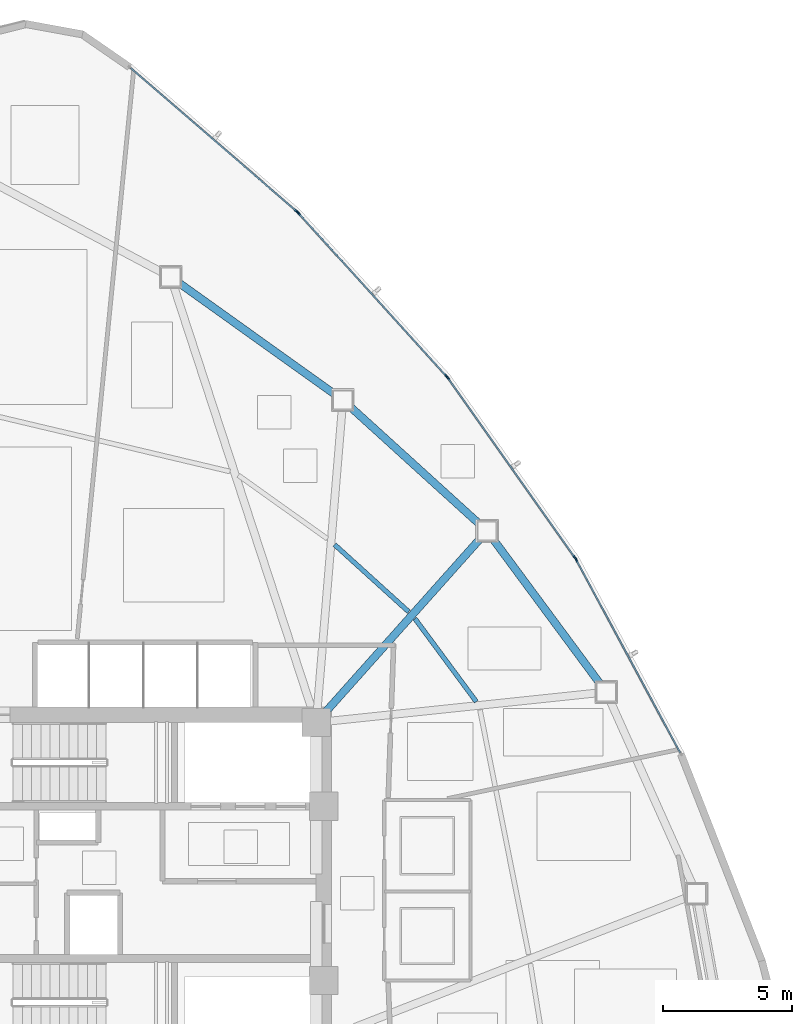
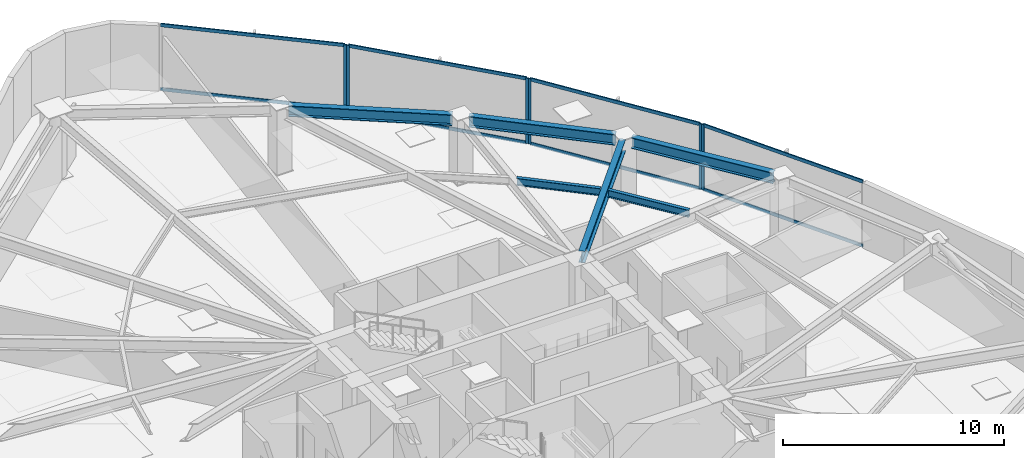
# One storey, part 9 of 16: 14 members, 6 beams, 4 elements without a shape of their own.
"""IFC4 building model written with IfcOpenShell, lengths in metres."""

from ifc_helpers import new_model, si_unit, direction, frame, origin, origin_2d, place, context, subcontext, project, spatial, hollow_rectangle, i_section, extrude, source, transform, mapped, material, layer, layer_set, material_profile, profile_set, type_object, type_shapes, element, aggregate, save


model = new_model("IFC4")

# Units and contexts
model_context = context("Model", 3, precision=1e-05, world=origin(), true_north=direction((0.0, 1.0)))
body_context = subcontext(model_context, "Body", "Model", "MODEL_VIEW")
ifc_project = project(units=[si_unit("LENGTHUNIT", "METRE"), si_unit("AREAUNIT", "SQUARE_METRE"), si_unit("VOLUMEUNIT", "CUBIC_METRE"), si_unit("PLANEANGLEUNIT", "RADIAN"), si_unit("MASSUNIT", "GRAM", prefix="KILO")], contexts=[model_context])

# Site, building, storey
site_placement = place(None, origin())
site = spatial("IfcSite", under=ifc_project, at=site_placement, CompositionType="ELEMENT")
building_placement = place(site_placement, origin())
building = spatial("IfcBuilding", under=site, at=building_placement, Name="Tavelor Broadcast Tower", CompositionType="ELEMENT")
storey_placement = place(building_placement, frame((0.0, 0.0, 31.5)))
storey = spatial("IfcBuildingStorey", under=building, at=storey_placement, Name="L06", CompositionType="ELEMENT", Elevation=31.5)

# Beams
ifc_material_1 = material(Name="Steel S355", Category="steel")
ifc_material_profile_1 = material_profile(ifc_material_1, i_section(OverallWidth=0.179931640625, OverallDepth=0.39990234375, WebThickness=0.008544921875, FlangeThickness=0.013427734375, at=origin_2d()), Name="IPE 400")
ifc_profile_set_1 = profile_set([ifc_material_profile_1], Name="Steel S355")
beam_type_1 = type_object("IfcBeamType", Name="Composite Floor Joist T1 IPE 400", PredefinedType="JOIST", material=ifc_profile_set_1)
beam_1_placement = place(storey_placement, frame((62.804443359375, 52.009521484375, 3.39990234375), z_axis=(-0.594288025828, 0.804252287754, 0.0), x_axis=(-0.804252287754, -0.594288025828, 0.0)))
element("IfcBeam", 1, at=beam_1_placement, inside=storey, type_object=beam_type_1, Name="L06 Secondary Composite Floor Joist 15", PredefinedType="JOIST", context=body_context, shape_type="SweptSolid", body=[
    extrude(i_section(OverallWidth=0.179931640625, OverallDepth=0.39990234375, WebThickness=0.008544921875, FlangeThickness=0.013427734375, at=origin_2d()), origin(), (0.0, 0.0, 1.0), 3.99755859375),
])
beam_2_placement = place(storey_placement, frame((60.18701171875, 55.49169921875, 3.39990234375), z_axis=(-0.740990869176, 0.67151510169, 0.0), x_axis=(-0.67151510169, -0.740990869176, 0.0)))
element("IfcBeam", 2, at=beam_2_placement, inside=storey, type_object=beam_type_1, Name="L06 Secondary Composite Floor Joist 16", PredefinedType="JOIST", context=body_context, shape_type="SweptSolid", body=[
    extrude(i_section(OverallWidth=0.179931640625, OverallDepth=0.39990234375, WebThickness=0.008544921875, FlangeThickness=0.013427734375, at=origin_2d()), origin(), (0.0, 0.0, 1.0), 3.8759765625),
])
ifc_material_profile_2 = material_profile(ifc_material_1, i_section(OverallWidth=0.300048828125, OverallDepth=0.60009765625, WebThickness=0.015380859375, FlangeThickness=0.030029296875, at=origin_2d()), Name="HEB 600")
ifc_profile_set_2 = profile_set([ifc_material_profile_2], Name="Steel S355")
beam_type_2 = type_object("IfcBeamType", Name="Perimeter Spandrel Beam T1 HEB 600", PredefinedType="SPANDREL", material=ifc_profile_set_2)
beam_3_placement = place(storey_placement, frame((67.6123046875, 52.69140625, 3.300048828125), z_axis=(-0.594687385164, 0.803957034876, 0.0), x_axis=(-0.803957034876, -0.594687385164, 0.0)))
element("IfcBeam", 3, at=beam_3_placement, inside=storey, type_object=beam_type_2, Name="L06 Framed-Tube Ring Spandrel 15", PredefinedType="SPANDREL", context=body_context, shape_type="SweptSolid", body=[
    extrude(i_section(OverallWidth=0.300048828125, OverallDepth=0.60009765625, WebThickness=0.015380859375, FlangeThickness=0.030029296875, at=origin_2d()), origin(), (0.0, 0.0, 1.0), 6.9951171875),
])
beam_4_placement = place(storey_placement, frame((62.939697265625, 58.882080078125, 3.300048828125), z_axis=(-0.740415616175, 0.672149325168, 0.0), x_axis=(-0.672149325168, -0.740415616175, 0.0)))
element("IfcBeam", 4, at=beam_4_placement, inside=storey, type_object=beam_type_2, Name="L06 Framed-Tube Ring Spandrel 16", PredefinedType="SPANDREL", context=body_context, shape_type="SweptSolid", body=[
    extrude(i_section(OverallWidth=0.300048828125, OverallDepth=0.60009765625, WebThickness=0.015380859375, FlangeThickness=0.030029296875, at=origin_2d()), origin(), (0.0, 0.0, 1.0), 6.78076171875),
])
beam_5_placement = place(storey_placement, frame((57.322509765625, 63.921142578125, 3.300048828125), z_axis=(-0.813480467782, 0.581592235624, 0.0), x_axis=(-0.581592235624, -0.813480467782, 0.0)))
element("IfcBeam", 5, at=beam_5_placement, inside=storey, type_object=beam_type_2, Name="L06 Framed-Tube Ring Spandrel 17", PredefinedType="SPANDREL", context=body_context, shape_type="SweptSolid", body=[
    extrude(i_section(OverallWidth=0.300048828125, OverallDepth=0.60009765625, WebThickness=0.015380859375, FlangeThickness=0.030029296875, at=origin_2d()), origin(), (0.0, 0.0, 1.0), 7.43505859375),
])
ifc_material_profile_3 = material_profile(ifc_material_1, i_section(OverallWidth=0.300048828125, OverallDepth=0.64990234375, WebThickness=0.01611328125, FlangeThickness=0.031005859375, at=origin_2d()), Name="HEB 650")
ifc_profile_set_3 = profile_set([ifc_material_profile_3], Name="Steel S355")
beam_type_3 = type_object("IfcBeamType", Name="Radial Floor Girder T1 HEB 650", PredefinedType="BEAM", material=ifc_profile_set_3)
beam_6_placement = place(storey_placement, frame((56.951416015625, 51.593994140625, 3.27490234375), z_axis=(0.665781144197, 0.746147082036, 0.0), x_axis=(-0.746147082036, 0.665781144197, 0.0)))
element("IfcBeam", 6, at=beam_6_placement, inside=storey, type_object=beam_type_3, Name="L06 Radial Primary Floor Girder 16", PredefinedType="BEAM", context=body_context, shape_type="SweptSolid", body=[
    extrude(i_section(OverallWidth=0.300048828125, OverallDepth=0.64990234375, WebThickness=0.01611328125, FlangeThickness=0.031005859375, at=origin_2d()), origin(), (0.0, 0.0, 1.0), 9.03759765625),
])

# Curtain wall, members
ifc_material_2 = material(Name="Architectural Anodized Aluminium", Category="aluminium")
ifc_layer = layer(ifc_material_2, 0.179931640625)
ifc_layer_set = layer_set([ifc_layer], Name="Architectural Anodized Aluminium")
curtain_wall_type = type_object("IfcCurtainWallType", Name="Tower Low-Zone Unitised Curtain Wall CW02", PredefinedType="NOTDEFINED", material=ifc_layer_set)
curtain_wall_1_placement = place(storey_placement, origin())
curtain_wall_1 = element("IfcCurtainWall", 7, at=curtain_wall_1_placement, inside=storey, type_object=curtain_wall_type, Name="L06 Curtain Wall CW02 Run 36", PredefinedType="NOTDEFINED")
ifc_material_profile_4 = material_profile(ifc_material_2, hollow_rectangle(XDim=0.06494140625, YDim=0.179931640625, WallThickness=0.02197265625, at=origin_2d()), Name="RHS 65x180x22")
ifc_profile_set_4 = profile_set([ifc_material_profile_4], Name="Architectural Anodized Aluminium")
member_type_1 = type_object("IfcMemberType", Name="CW02 Extruded Aluminium Transom 65x180", PredefinedType="USERDEFINED", material=ifc_profile_set_4)
shared_shape_1 = source(origin(), body_context, "Body", "SweptSolid", [
    extrude(hollow_rectangle(XDim=0.06494140625, YDim=0.179931640625, WallThickness=0.02197265625, at=origin_2d()), origin(), (0.0, 0.0, 1.0), 8.47412109375),
])
member_1_placement = place(storey_placement, frame((55.82373046875, 71.02734375, 0.032470703125), z_axis=(-0.756727124938, 0.653730876113, 0.0), x_axis=(-0.653730876113, -0.756727124938, 0.0)))
member_1 = element("IfcMember", 8, at=member_1_placement, type_object=member_type_1, Name="CW02 transom 1.1", ObjectType="TRANSOM", PredefinedType="USERDEFINED", context=body_context, shape_type="MappedRepresentation", body=[
    mapped(shared_shape_1, transform((0.0, 0.0, 0.0), scale=1.0)),
])
member_2_placement = place(storey_placement, frame((55.82373046875, 71.02734375, 3.5673828125), z_axis=(-0.756727124938, 0.653730876113, 0.0), x_axis=(-0.653730876113, -0.756727124938, 0.0)))
member_2 = element("IfcMember", 9, at=member_2_placement, type_object=member_type_1, Name="CW02 transom 1.2", ObjectType="TRANSOM", PredefinedType="USERDEFINED", context=body_context, shape_type="MappedRepresentation", body=[
    mapped(shared_shape_1, transform((0.0, 0.0, 0.0), scale=1.0)),
])

# Curtain wall, member
curtain_wall_2_placement = place(storey_placement, origin())
curtain_wall_2 = element("IfcCurtainWall", 10, at=curtain_wall_2_placement, inside=storey, type_object=curtain_wall_type, Name="L06 Curtain Wall CW02 Run 33", PredefinedType="NOTDEFINED")
ifc_material_profile_5 = material_profile(ifc_material_2, hollow_rectangle(XDim=0.06494140625, YDim=0.179931640625, WallThickness=0.02197265625, at=origin_2d()), Name="RHS 65x180x22")
ifc_profile_set_5 = profile_set([ifc_material_profile_5], Name="Architectural Anodized Aluminium")
member_type_2 = type_object("IfcMemberType", Name="CW02 Extruded Aluminium Mullion 65x180", PredefinedType="MULLION", material=ifc_profile_set_5)
shared_shape_2 = source(origin(), body_context, "Body", "SweptSolid", [
    extrude(hollow_rectangle(XDim=0.06494140625, YDim=0.179931640625, WallThickness=0.02197265625, at=origin_2d()), origin(), (0.0, 0.0, 1.0), 3.60009765625),
])
type_shapes(member_type_2, [shared_shape_2])
member_3_placement = place(storey_placement, frame((66.67578125, 57.515625, 0.0), z_axis=(0.0, 0.0, 1.0), x_axis=(-0.880273207377, -0.474467154157, 0.0)))
member_3 = element("IfcMember", 11, at=member_3_placement, type_object=member_type_2, Name="CW02 mullion 2", PredefinedType="MULLION", context=body_context, shape_type="MappedRepresentation", body=[
    mapped(shared_shape_2, transform((0.0, 0.0, 0.0), scale=1.0)),
])

# Curtain wall, members
curtain_wall_3_placement = place(storey_placement, origin())
curtain_wall_3 = element("IfcCurtainWall", 12, at=curtain_wall_3_placement, inside=storey, type_object=curtain_wall_type, Name="L06 Curtain Wall CW02 Run 34", PredefinedType="NOTDEFINED")
member_4_placement = place(storey_placement, frame((66.625732421875, 57.59619140625, 0.0), z_axis=(0.0, 0.0, 1.0), x_axis=(-0.81638886043, -0.577502578839, 0.0)))
member_4 = element("IfcMember", 13, at=member_4_placement, type_object=member_type_2, Name="CW02 mullion 1", PredefinedType="MULLION", context=body_context, shape_type="MappedRepresentation", body=[
    mapped(shared_shape_2, transform((0.0, 0.0, 0.0), scale=1.0)),
])
member_5_placement = place(storey_placement, frame((61.70361328125, 64.554443359375, 0.0), z_axis=(0.0, 0.0, 1.0), x_axis=(-0.81638886043, -0.577502578839, 0.0)))
member_5 = element("IfcMember", 14, at=member_5_placement, type_object=member_type_2, Name="CW02 mullion 2", PredefinedType="MULLION", context=body_context, shape_type="MappedRepresentation", body=[
    mapped(shared_shape_2, transform((0.0, 0.0, 0.0), scale=1.0)),
])

curtain_wall_4_placement = place(storey_placement, origin())
curtain_wall_4 = element("IfcCurtainWall", 15, at=curtain_wall_4_placement, inside=storey, type_object=curtain_wall_type, Name="L06 Curtain Wall CW02 Run 35", PredefinedType="NOTDEFINED")
member_6_placement = place(storey_placement, frame((61.64404296875, 64.62841796875, 0.0), z_axis=(0.0, 0.0, 1.0), x_axis=(-0.74050514689, -0.67205068814, 0.0)))
member_6 = element("IfcMember", 16, at=member_6_placement, type_object=member_type_2, Name="CW02 mullion 1", PredefinedType="MULLION", context=body_context, shape_type="MappedRepresentation", body=[
    mapped(shared_shape_2, transform((0.0, 0.0, 0.0), scale=1.0)),
])
member_7_placement = place(storey_placement, frame((55.916259765625, 70.93994140625, 0.0), z_axis=(0.0, 0.0, 1.0), x_axis=(-0.74050514689, -0.67205068814, 0.0)))
member_7 = element("IfcMember", 17, at=member_7_placement, type_object=member_type_2, Name="CW02 mullion 2", PredefinedType="MULLION", context=body_context, shape_type="MappedRepresentation", body=[
    mapped(shared_shape_2, transform((0.0, 0.0, 0.0), scale=1.0)),
])

# Member
member_8_placement = place(storey_placement, frame((55.848388671875, 71.006103515625, 0.0), z_axis=(0.0, 0.0, 1.0), x_axis=(-0.653736361619, -0.756722386015, 0.0)))
member_8 = element("IfcMember", 18, at=member_8_placement, type_object=member_type_2, Name="CW02 mullion 1", PredefinedType="MULLION", context=body_context, shape_type="MappedRepresentation", body=[
    mapped(shared_shape_2, transform((0.0, 0.0, 0.0), scale=1.0)),
])

aggregate(curtain_wall_1, [member_8, member_1, member_2])

shared_shape_3 = source(origin(), body_context, "Body", "SweptSolid", [
    extrude(hollow_rectangle(XDim=0.06494140625, YDim=0.179931640625, WallThickness=0.02197265625, at=origin_2d()), origin(), (0.0, 0.0, 1.0), 8.47314453125),
])
member_9_placement = place(storey_placement, frame((70.71142578125, 50.0283203125, 0.032470703125), z_axis=(-0.47446748082, 0.880273031306, 0.0), x_axis=(-0.880273031306, -0.47446748082, 0.0)))
member_9 = element("IfcMember", 19, at=member_9_placement, type_object=member_type_1, Name="CW02 transom 1.1", ObjectType="TRANSOM", PredefinedType="USERDEFINED", context=body_context, shape_type="MappedRepresentation", body=[
    mapped(shared_shape_3, transform((0.0, 0.0, 0.0), scale=1.0)),
])

member_10_placement = place(storey_placement, frame((70.71142578125, 50.0283203125, 3.5673828125), z_axis=(-0.47446748082, 0.880273031306, 0.0), x_axis=(-0.880273031306, -0.47446748082, 0.0)))
member_10 = element("IfcMember", 20, at=member_10_placement, type_object=member_type_1, Name="CW02 transom 1.2", ObjectType="TRANSOM", PredefinedType="USERDEFINED", context=body_context, shape_type="MappedRepresentation", body=[
    mapped(shared_shape_3, transform((0.0, 0.0, 0.0), scale=1.0)),
])

aggregate(curtain_wall_2, [member_3, member_9, member_10])

shared_shape_4 = source(origin(), body_context, "Body", "SweptSolid", [
    extrude(hollow_rectangle(XDim=0.06494140625, YDim=0.179931640625, WallThickness=0.02197265625, at=origin_2d()), origin(), (0.0, 0.0, 1.0), 8.458251953125),
])
member_11_placement = place(storey_placement, frame((61.622314453125, 64.65234375, 0.032470703125), z_axis=(-0.672044723272, 0.740510560304, 0.0), x_axis=(-0.740510560304, -0.672044723272, 0.0)))
member_11 = element("IfcMember", 21, at=member_11_placement, type_object=member_type_1, Name="CW02 transom 1.1", ObjectType="TRANSOM", PredefinedType="USERDEFINED", context=body_context, shape_type="MappedRepresentation", body=[
    mapped(shared_shape_4, transform((0.0, 0.0, 0.0), scale=1.0)),
])

member_12_placement = place(storey_placement, frame((61.622314453125, 64.65234375, 3.5673828125), z_axis=(-0.672044723272, 0.740510560304, 0.0), x_axis=(-0.740510560304, -0.672044723272, 0.0)))
member_12 = element("IfcMember", 22, at=member_12_placement, type_object=member_type_1, Name="CW02 transom 1.2", ObjectType="TRANSOM", PredefinedType="USERDEFINED", context=body_context, shape_type="MappedRepresentation", body=[
    mapped(shared_shape_4, transform((0.0, 0.0, 0.0), scale=1.0)),
])

aggregate(curtain_wall_4, [member_6, member_7, member_11, member_12])

shared_shape_5 = source(origin(), body_context, "Body", "SweptSolid", [
    extrude(hollow_rectangle(XDim=0.06494140625, YDim=0.179931640625, WallThickness=0.02197265625, at=origin_2d()), origin(), (0.0, 0.0, 1.0), 8.4580078125),
])
type_shapes(member_type_1, [shared_shape_1, shared_shape_3, shared_shape_4, shared_shape_5])
member_13_placement = place(storey_placement, frame((66.60693359375, 57.622802734375, 0.032470703125), z_axis=(-0.577502260553, 0.816389085581, 0.0), x_axis=(-0.816389085581, -0.577502260553, 0.0)))
member_13 = element("IfcMember", 23, at=member_13_placement, type_object=member_type_1, Name="CW02 transom 1.1", ObjectType="TRANSOM", PredefinedType="USERDEFINED", context=body_context, shape_type="MappedRepresentation", body=[
    mapped(shared_shape_5, transform((0.0, 0.0, 0.0), scale=1.0)),
])

member_14_placement = place(storey_placement, frame((66.60693359375, 57.622802734375, 3.5673828125), z_axis=(-0.577502260553, 0.816389085581, 0.0), x_axis=(-0.816389085581, -0.577502260553, 0.0)))
member_14 = element("IfcMember", 24, at=member_14_placement, type_object=member_type_1, Name="CW02 transom 1.2", ObjectType="TRANSOM", PredefinedType="USERDEFINED", context=body_context, shape_type="MappedRepresentation", body=[
    mapped(shared_shape_5, transform((0.0, 0.0, 0.0), scale=1.0)),
])

aggregate(curtain_wall_3, [member_4, member_5, member_13, member_14])

save(model, "model.ifc")
